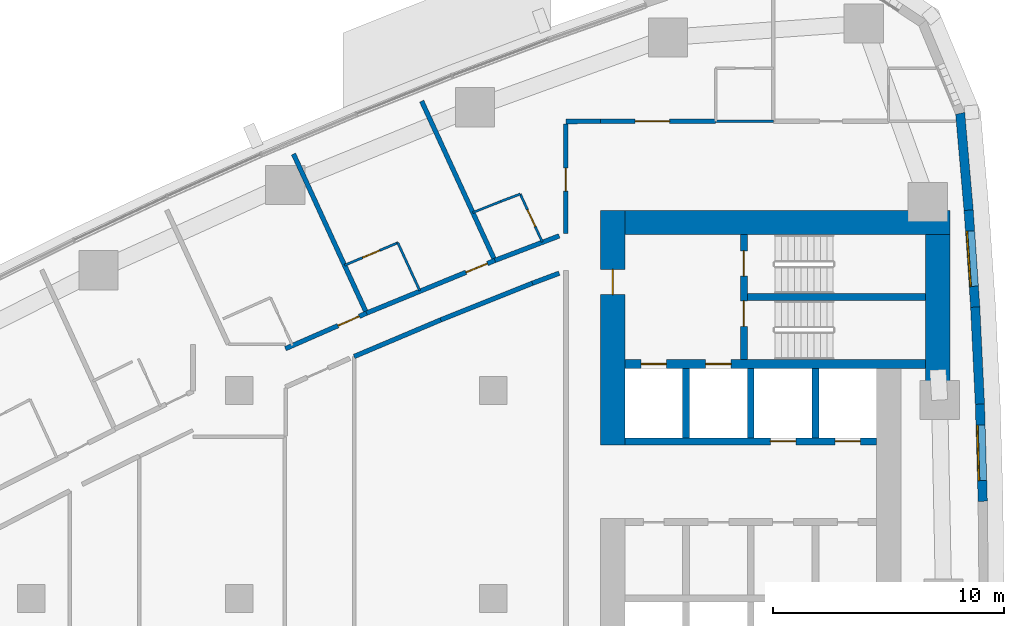
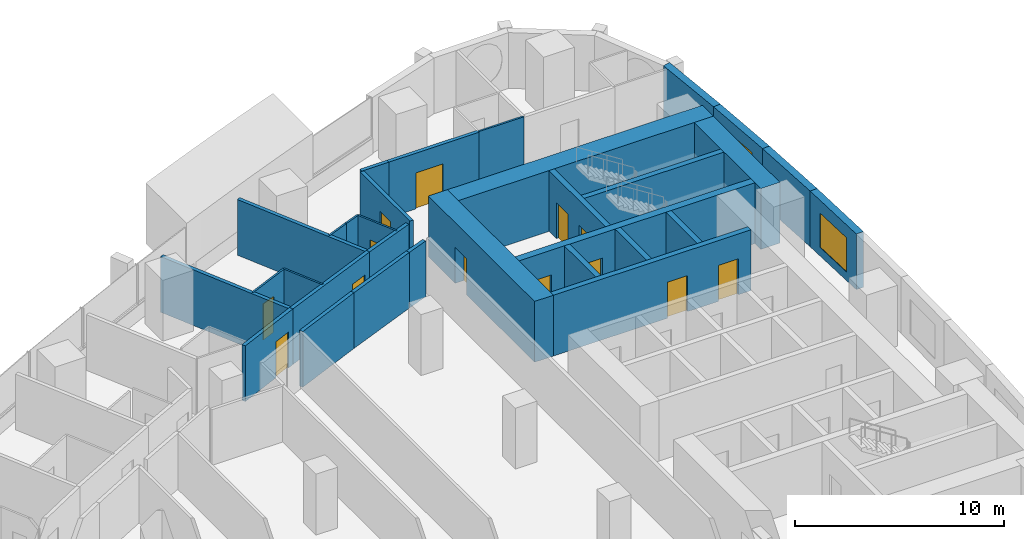
# One storey, part 12 of 17: 31 walls, 13 doors, 2 windows, 15 openings.
"""IFC4 building model written with IfcOpenShell, lengths in metres."""

from ifc_helpers import new_model, si_unit, direction, frame, frame_2d, origin, place, context, subcontext, project, spatial, polyline, rectangle, outline, extrude, material, layer, layer_set, type_object, element, fill, save


model = new_model("IFC4")

# Units and contexts
model_context = context("Model", 3, precision=1e-05, world=origin(), true_north=direction((0.0, 1.0)))
body_context = subcontext(model_context, "Body", "Model", "MODEL_VIEW")
ifc_project = project(units=[si_unit("LENGTHUNIT", "METRE"), si_unit("AREAUNIT", "SQUARE_METRE"), si_unit("VOLUMEUNIT", "CUBIC_METRE"), si_unit("PLANEANGLEUNIT", "RADIAN"), si_unit("MASSUNIT", "GRAM", prefix="KILO")], contexts=[model_context])

# Site, building, storey
site_placement = place(None, origin())
site = spatial("IfcSite", under=ifc_project, at=site_placement, CompositionType="ELEMENT")
building_placement = place(site_placement, origin())
building = spatial("IfcBuilding", under=site, at=building_placement, Name="Ostrand Prow Hotel Tower", CompositionType="ELEMENT")
storey_placement = place(building_placement, frame((0.0, 0.0, 106.199951171875)))
storey = spatial("IfcBuildingStorey", under=building, at=storey_placement, Name="L25", CompositionType="ELEMENT", Elevation=106.199951171875)

# Wall, opening, door
ifc_material_1 = material(Name="Concrete C80/95", Category="concrete")
ifc_layer_1 = layer(ifc_material_1, 1.050048828125)
ifc_layer_set_1 = layer_set([ifc_layer_1], Name="Concrete C80/95")
wall_type_1 = type_object("IfcWallType", Name="Core wall 1050 C80/95", PredefinedType="SHEAR", material=ifc_layer_set_1)
wall_1_placement = place(storey_placement, frame((50.175048828125, 6.64990234375, 0.0), z_axis=(0.0, 0.0, 1.0), x_axis=(0.0, 1.0, 0.0)))
wall_1 = element("IfcWall", 1, at=wall_1_placement, inside=storey, type_object=wall_type_1, Name="Core wall CW-W-N", PredefinedType="SHEAR", context=body_context, shape_type="SweptSolid", body=[
    extrude(rectangle(XDim=10.150146484375, YDim=1.050048828125, at=frame_2d((5.0751953125, 0.0))), origin(), (0.0, 0.0, 1.0), 3.550048828125),
])
opening_1_placement = place(wall_1_placement, frame((6.5, 0.0, 0.0)))
opening_1 = element("IfcOpeningElement", 2, at=opening_1_placement, cuts=wall_1, Name="Opening FD1", PredefinedType="OPENING", context=body_context, shape_type="SweptSolid", body=[
    extrude(rectangle(XDim=1.10009765625, YDim=2.10009765625, at=frame_2d((0.550048828125, 1.050048828125))), frame((0.0, 0.534912109375, 0.0), z_axis=(0.0, -1.0, 0.0), x_axis=(1.0, 0.0, 0.0)), (0.0, 0.0, 1.0), 1.070068359375),
])
ifc_material_2 = material(Name="Steel fire door", Category="steel")
door_type_1 = type_object("IfcDoorType", Name="Fire door 1100 EI120", OperationType="SINGLE_SWING_RIGHT", PredefinedType="DOOR", material=ifc_material_2)
door_1_placement = place(opening_1_placement, origin())
door_1 = element("IfcDoor", 3, at=door_1_placement, inside=storey, type_object=door_type_1, Name="FIRE DOOR", OperationType="SINGLE_SWING_RIGHT", OverallHeight=2.10009765625, OverallWidth=1.10009765625, PredefinedType="DOOR", context=body_context, shape_type="SweptSolid", body=[
    extrude(rectangle(XDim=1.10009765625, YDim=2.10009765625, at=frame_2d((0.550048828125, 1.050048828125))), frame((0.0, 0.02490234375, 0.0), z_axis=(0.0, -1.0, 0.0), x_axis=(1.0, 0.0, 0.0)), (0.0, 0.0, 1.0), 0.050048828125),
])
fill(opening_1, door_1)

# Walls
wall_2_placement = place(storey_placement, frame((50.699951171875, 16.27490234375, 0.0), z_axis=(0.0, 0.0, 1.0), x_axis=(1.0, 0.0, 0.0)))
element("IfcWall", 4, at=wall_2_placement, inside=storey, type_object=wall_type_1, Name="Core wall CW-N", PredefinedType="SHEAR", context=body_context, shape_type="SweptSolid", body=[
    extrude(rectangle(XDim=14.070068359375, YDim=1.050048828125, at=frame_2d((7.03515625, 0.0))), origin(), (0.0, 0.0, 1.0), 3.550048828125),
])
wall_3_placement = place(storey_placement, frame((64.2451171875, 9.388671875, 0.0), z_axis=(0.0, 0.0, 1.0), x_axis=(0.0, 1.0, 0.0)))
element("IfcWall", 5, at=wall_3_placement, inside=storey, type_object=wall_type_1, Name="Core wall CW-E-N", PredefinedType="SHEAR", context=body_context, shape_type="SweptSolid", body=[
    extrude(rectangle(XDim=6.361328125, YDim=1.050048828125, at=frame_2d((3.1806640625, 0.0))), origin(), (0.0, 0.0, 1.0), 3.550048828125),
])

# Wall, openings, doors
ifc_material_3 = material(Name="Concrete C80/95", Category="concrete")
ifc_layer_2 = layer(ifc_material_3, 0.300048828125)
ifc_layer_set_2 = layer_set([ifc_layer_2], Name="Concrete C80/95")
wall_type_2 = type_object("IfcWallType", Name="Core wall 300 C80/95", PredefinedType="SHEAR", material=ifc_layer_set_2)
wall_4_placement = place(storey_placement, frame((50.699951171875, 6.800048828125, 0.0), z_axis=(0.0, 0.0, 1.0), x_axis=(1.0, 0.0, 0.0)))
wall_4 = element("IfcWall", 6, at=wall_4_placement, inside=storey, type_object=wall_type_2, Name="Core wall PW-L2-N", PredefinedType="SHEAR", context=body_context, shape_type="SweptSolid", body=[
    extrude(rectangle(XDim=10.900146484375, YDim=0.300048828125, at=frame_2d((5.4501953125, 0.0))), origin(), (0.0, 0.0, 1.0), 3.550048828125),
])
opening_2_placement = place(wall_4_placement, frame((6.300048828125, 0.0, 0.0)))
opening_2 = element("IfcOpeningElement", 7, at=opening_2_placement, cuts=wall_4, Name="Opening LD", PredefinedType="OPENING", context=body_context, shape_type="SweptSolid", body=[
    extrude(rectangle(XDim=1.10009765625, YDim=2.10009765625, at=frame_2d((0.550048828125, 1.050048828125))), frame((0.0, 0.159912109375, 0.0), z_axis=(0.0, -1.0, 0.0), x_axis=(1.0, 0.0, 0.0)), (0.0, 0.0, 1.0), 0.320068359375),
])
opening_3_placement = place(wall_4_placement, frame((9.10009765625, 0.0, 0.0)))
opening_3 = element("IfcOpeningElement", 8, at=opening_3_placement, cuts=wall_4, Name="Opening LD", PredefinedType="OPENING", context=body_context, shape_type="SweptSolid", body=[
    extrude(rectangle(XDim=1.10009765625, YDim=2.10009765625, at=frame_2d((0.550048828125, 1.050048828125))), frame((0.0, 0.159912109375, 0.0), z_axis=(0.0, -1.0, 0.0), x_axis=(1.0, 0.0, 0.0)), (0.0, 0.0, 1.0), 0.320068359375),
])
ifc_material_4 = material(Name="Stainless steel door", Category="steel")
door_type_2 = type_object("IfcDoorType", Name="Lift landing door 1100", OperationType="DOUBLE_DOOR_SLIDING", PredefinedType="DOOR", material=ifc_material_4)
door_2_placement = place(opening_2_placement, origin())
door_2 = element("IfcDoor", 9, at=door_2_placement, inside=storey, type_object=door_type_2, Name="LIFT LANDING DOOR", OperationType="DOUBLE_DOOR_SLIDING", OverallHeight=2.10009765625, OverallWidth=1.10009765625, PredefinedType="DOOR", context=body_context, shape_type="SweptSolid", body=[
    extrude(rectangle(XDim=1.10009765625, YDim=2.10009765625, at=frame_2d((0.550048828125, 1.050048828125))), frame((0.0, 0.02490234375, 0.0), z_axis=(0.0, -1.0, 0.0), x_axis=(1.0, 0.0, 0.0)), (0.0, 0.0, 1.0), 0.050048828125),
])
fill(opening_2, door_2)
door_3_placement = place(opening_3_placement, origin())
door_3 = element("IfcDoor", 10, at=door_3_placement, inside=storey, type_object=door_type_2, Name="LIFT LANDING DOOR", OperationType="DOUBLE_DOOR_SLIDING", OverallHeight=2.10009765625, OverallWidth=1.10009765625, PredefinedType="DOOR", context=body_context, shape_type="SweptSolid", body=[
    extrude(rectangle(XDim=1.10009765625, YDim=2.10009765625, at=frame_2d((0.550048828125, 1.050048828125))), frame((0.0, 0.02490234375, 0.0), z_axis=(0.0, -1.0, 0.0), x_axis=(1.0, 0.0, 0.0)), (0.0, 0.0, 1.0), 0.050048828125),
])
fill(opening_3, door_3)

# Walls
for number, where, z_axis, x_axis, name in (
    (11, (53.35009765625, 6.949951171875, 0.0), (0.0, 0.0, 1.0), (0.0, 1.0, 0.0), "Core wall PW-R1-NA"),
    (12, (56.14990234375, 6.949951171875, 0.0), (0.0, 0.0, 1.0), (0.0, 1.0, 0.0), "Core wall PW-R2-NA"),
    (13, (58.949951171875, 6.949951171875, 0.0), (0.0, 0.0, 1.0), (0.0, 1.0, 0.0), "Core wall PW-R3-NA"),
):
    element("IfcWall", number, at=place(storey_placement, frame(where, z_axis=z_axis, x_axis=x_axis)), inside=storey, type_object=wall_type_2, Name=name, PredefinedType="SHEAR", context=body_context, shape_type="SweptSolid", body=[
        extrude(rectangle(XDim=3.0, YDim=0.300048828125, at=frame_2d((1.5, 0.0))), origin(), (0.0, 0.0, 1.0), 3.550048828125),
    ])

# Wall, openings, doors
wall_5_placement = place(storey_placement, frame((55.85009765625, 10.35009765625, 0.0), z_axis=(0.0, 0.0, 1.0), x_axis=(0.0, 1.0, 0.0)))
wall_5 = element("IfcWall", 14, at=wall_5_placement, inside=storey, type_object=wall_type_2, Name="Core wall PW-VN", PredefinedType="SHEAR", context=body_context, shape_type="SweptSolid", body=[
    extrude(rectangle(XDim=5.39990234375, YDim=0.300048828125, at=frame_2d((2.699951171875, 0.0))), origin(), (0.0, 0.0, 1.0), 3.550048828125),
])
opening_4_placement = place(wall_5_placement, frame((1.429931640625, 0.0, 0.0)))
opening_4 = element("IfcOpeningElement", 15, at=opening_4_placement, cuts=wall_5, Name="Opening FD1", PredefinedType="OPENING", context=body_context, shape_type="SweptSolid", body=[
    extrude(rectangle(XDim=1.10009765625, YDim=2.10009765625, at=frame_2d((0.550048828125, 1.050048828125))), frame((0.0, 0.159912109375, 0.0), z_axis=(0.0, -1.0, 0.0), x_axis=(1.0, 0.0, 0.0)), (0.0, 0.0, 1.0), 0.320068359375),
])
opening_5_placement = place(wall_5_placement, frame((3.60009765625, 0.0, 0.0)))
opening_5 = element("IfcOpeningElement", 16, at=opening_5_placement, cuts=wall_5, Name="Opening FD1", PredefinedType="OPENING", context=body_context, shape_type="SweptSolid", body=[
    extrude(rectangle(XDim=1.10009765625, YDim=2.10009765625, at=frame_2d((0.550048828125, 1.050048828125))), frame((0.0, 0.159912109375, 0.0), z_axis=(0.0, -1.0, 0.0), x_axis=(1.0, 0.0, 0.0)), (0.0, 0.0, 1.0), 0.320068359375),
])
door_4_placement = place(opening_4_placement, origin())
door_4 = element("IfcDoor", 17, at=door_4_placement, inside=storey, type_object=door_type_1, Name="FIRE DOOR", OperationType="SINGLE_SWING_RIGHT", OverallHeight=2.10009765625, OverallWidth=1.10009765625, PredefinedType="DOOR", context=body_context, shape_type="SweptSolid", body=[
    extrude(rectangle(XDim=1.10009765625, YDim=2.10009765625, at=frame_2d((0.550048828125, 1.050048828125))), frame((0.0, 0.02490234375, 0.0), z_axis=(0.0, -1.0, 0.0), x_axis=(1.0, 0.0, 0.0)), (0.0, 0.0, 1.0), 0.050048828125),
])
fill(opening_4, door_4)
door_5_placement = place(opening_5_placement, origin())
door_5 = element("IfcDoor", 18, at=door_5_placement, inside=storey, type_object=door_type_1, Name="FIRE DOOR", OperationType="SINGLE_SWING_RIGHT", OverallHeight=2.10009765625, OverallWidth=1.10009765625, PredefinedType="DOOR", context=body_context, shape_type="SweptSolid", body=[
    extrude(rectangle(XDim=1.10009765625, YDim=2.10009765625, at=frame_2d((0.550048828125, 1.050048828125))), frame((0.0, 0.02490234375, 0.0), z_axis=(0.0, -1.0, 0.0), x_axis=(1.0, 0.0, 0.0)), (0.0, 0.0, 1.0), 0.050048828125),
])
fill(opening_5, door_5)

# Wall
wall_6_placement = place(storey_placement, frame((56.0, 13.050048828125, 0.0), z_axis=(0.0, 0.0, 1.0), x_axis=(1.0, 0.0, 0.0)))
element("IfcWall", 19, at=wall_6_placement, inside=storey, type_object=wall_type_2, Name="Core wall PW-ST13", PredefinedType="SHEAR", context=body_context, shape_type="SweptSolid", body=[
    extrude(rectangle(XDim=7.719970703125, YDim=0.300048828125, at=frame_2d((3.85986328125, 0.0))), origin(), (0.0, 0.0, 1.0), 3.550048828125),
])

# Wall, openings, doors
ifc_material_5 = material(Name="Concrete C80/95", Category="concrete")
ifc_layer_3 = layer(ifc_material_5, 0.39990234375)
ifc_layer_set_3 = layer_set([ifc_layer_3], Name="Concrete C80/95")
wall_type_3 = type_object("IfcWallType", Name="Core wall 400 C80/95", PredefinedType="SHEAR", material=ifc_layer_set_3)
wall_7_placement = place(storey_placement, frame((50.699951171875, 10.14990234375, 0.0), z_axis=(0.0, 0.0, 1.0), x_axis=(1.0, 0.0, 0.0)))
wall_7 = element("IfcWall", 20, at=wall_7_placement, inside=storey, type_object=wall_type_3, Name="Core wall PW-BN", PredefinedType="SHEAR", context=body_context, shape_type="SweptSolid", body=[
    extrude(rectangle(XDim=13.02001953125, YDim=0.39990234375, at=frame_2d((6.510009765625, 0.0))), origin(), (0.0, 0.0, 1.0), 3.550048828125),
])
opening_6_placement = place(wall_7_placement, frame((0.699951171875, 0.0, 0.0)))
opening_6 = element("IfcOpeningElement", 21, at=opening_6_placement, cuts=wall_7, Name="Opening LD", PredefinedType="OPENING", context=body_context, shape_type="SweptSolid", body=[
    extrude(rectangle(XDim=1.10009765625, YDim=2.10009765625, at=frame_2d((0.550048828125, 1.050048828125))), frame((0.0, 0.2099609375, 0.0), z_axis=(0.0, -1.0, 0.0), x_axis=(1.0, 0.0, 0.0)), (0.0, 0.0, 1.0), 0.419921875),
])
opening_7_placement = place(wall_7_placement, frame((3.5, 0.0, 0.0)))
opening_7 = element("IfcOpeningElement", 22, at=opening_7_placement, cuts=wall_7, Name="Opening LD", PredefinedType="OPENING", context=body_context, shape_type="SweptSolid", body=[
    extrude(rectangle(XDim=1.10009765625, YDim=2.10009765625, at=frame_2d((0.550048828125, 1.050048828125))), frame((0.0, 0.2099609375, 0.0), z_axis=(0.0, -1.0, 0.0), x_axis=(1.0, 0.0, 0.0)), (0.0, 0.0, 1.0), 0.419921875),
])
door_6_placement = place(opening_6_placement, origin())
door_6 = element("IfcDoor", 23, at=door_6_placement, inside=storey, type_object=door_type_2, Name="LIFT LANDING DOOR", OperationType="DOUBLE_DOOR_SLIDING", OverallHeight=2.10009765625, OverallWidth=1.10009765625, PredefinedType="DOOR", context=body_context, shape_type="SweptSolid", body=[
    extrude(rectangle(XDim=1.10009765625, YDim=2.10009765625, at=frame_2d((0.550048828125, 1.050048828125))), frame((0.0, 0.02490234375, 0.0), z_axis=(0.0, -1.0, 0.0), x_axis=(1.0, 0.0, 0.0)), (0.0, 0.0, 1.0), 0.050048828125),
])
fill(opening_6, door_6)
door_7_placement = place(opening_7_placement, origin())
door_7 = element("IfcDoor", 24, at=door_7_placement, inside=storey, type_object=door_type_2, Name="LIFT LANDING DOOR", OperationType="DOUBLE_DOOR_SLIDING", OverallHeight=2.10009765625, OverallWidth=1.10009765625, PredefinedType="DOOR", context=body_context, shape_type="SweptSolid", body=[
    extrude(rectangle(XDim=1.10009765625, YDim=2.10009765625, at=frame_2d((0.550048828125, 1.050048828125))), frame((0.0, 0.02490234375, 0.0), z_axis=(0.0, -1.0, 0.0), x_axis=(1.0, 0.0, 0.0)), (0.0, 0.0, 1.0), 0.050048828125),
])
fill(opening_7, door_7)

# Wall, opening, door
ifc_material_6 = material(Name="Plasterboard partition")
ifc_layer_4 = layer(ifc_material_6, 0.10009765625)
ifc_layer_set_4 = layer_set([ifc_layer_4], Name="Plasterboard partition")
wall_type_4 = type_object("IfcWallType", Name="Partition 100 bathroom wall", PredefinedType="PARTITIONING", material=ifc_layer_set_4)
wall_8_placement = place(storey_placement, frame((38.5615234375, 14.425537109375, 0.0), z_axis=(0.0, 0.0, 1.0), x_axis=(0.921042675983, 0.38946166566, 0.0)))
wall_8 = element("IfcWall", 25, at=wall_8_placement, inside=storey, type_object=wall_type_4, Name="BATHROOM WALL", PredefinedType="PARTITIONING", context=body_context, shape_type="SweptSolid", body=[
    extrude(rectangle(XDim=2.501220703125, YDim=0.10009765625, at=frame_2d((1.25048828125, 0.0))), origin(), (0.0, 0.0, 1.0), 3.25),
])
opening_8_placement = place(wall_8_placement, frame((0.85009765625, 0.0, 0.0)))
opening_8 = element("IfcOpeningElement", 26, at=opening_8_placement, cuts=wall_8, Name="Opening D2", PredefinedType="OPENING", context=body_context, shape_type="SweptSolid", body=[
    extrude(rectangle(XDim=0.800048828125, YDim=2.10009765625, at=frame_2d((0.39990234375, 1.050048828125))), frame((0.0, 0.06005859375, 0.0), z_axis=(0.0, -1.0, 0.0), x_axis=(1.0, 0.0, 0.0)), (0.0, 0.0, 1.0), 0.1201171875),
])
ifc_material_7 = material(Name="Timber door leaf", Category="wood")
door_type_3 = type_object("IfcDoorType", Name="Bathroom door 800", OperationType="SINGLE_SWING_LEFT", PredefinedType="DOOR", material=ifc_material_7)
door_8_placement = place(opening_8_placement, origin())
door_8 = element("IfcDoor", 27, at=door_8_placement, inside=storey, type_object=door_type_3, Name="DOOR", OperationType="SINGLE_SWING_LEFT", OverallHeight=2.10009765625, OverallWidth=0.800048828125, PredefinedType="DOOR", context=body_context, shape_type="SweptSolid", body=[
    extrude(rectangle(XDim=0.800048828125, YDim=2.10009765625, at=frame_2d((0.39990234375, 1.050048828125))), frame((0.0, 0.02490234375, 0.0), z_axis=(0.0, -1.0, 0.0), x_axis=(1.0, 0.0, 0.0)), (0.0, 0.0, 1.0), 0.050048828125),
])
fill(opening_8, door_8)

# Walls
wall_9_placement = place(storey_placement, frame((40.865234375, 15.399658203125, 0.0), z_axis=(0.0, 0.0, 1.0), x_axis=(0.417433204355, -0.908707609686, 0.0)))
element("IfcWall", 28, at=wall_9_placement, inside=storey, type_object=wall_type_4, Name="BATHROOM WALL", PredefinedType="PARTITIONING", context=body_context, shape_type="SweptSolid", body=[
    extrude(rectangle(XDim=2.278076171875, YDim=0.10009765625, at=frame_2d((1.13916015625, 0.0))), origin(), (0.0, 0.0, 1.0), 3.25),
])
wall_10_placement = place(storey_placement, frame((44.115966796875, 16.7080078125, 0.0), z_axis=(0.0, 0.0, 1.0), x_axis=(0.928593389657, 0.371098796393, 0.0)))
element("IfcWall", 29, at=wall_10_placement, inside=storey, type_object=wall_type_4, Name="BATHROOM WALL", PredefinedType="PARTITIONING", context=body_context, shape_type="SweptSolid", body=[
    extrude(rectangle(XDim=1.298095703125, YDim=0.10009765625, at=frame_2d((0.64892578125, 0.0))), origin(), (0.0, 0.0, 1.0), 3.25),
])
wall_11_placement = place(storey_placement, frame((45.3212890625, 17.189697265625, 0.0), z_axis=(0.0, 0.0, 1.0), x_axis=(0.935885332459, 0.352304760808, 0.0)))
element("IfcWall", 30, at=wall_11_placement, inside=storey, type_object=wall_type_4, Name="BATHROOM WALL", PredefinedType="PARTITIONING", context=body_context, shape_type="SweptSolid", body=[
    extrude(rectangle(XDim=0.90576171875, YDim=0.10009765625, at=frame_2d((0.452880859375, 0.0))), origin(), (0.0, 0.0, 1.0), 3.25),
])

# Wall, opening, door
wall_12_placement = place(storey_placement, frame((46.169189453125, 17.5087890625, 0.0), z_axis=(0.0, 0.0, 1.0), x_axis=(0.417409478396, -0.90871850831, 0.0)))
wall_12 = element("IfcWall", 31, at=wall_12_placement, inside=storey, type_object=wall_type_4, Name="BATHROOM WALL", PredefinedType="PARTITIONING", context=body_context, shape_type="SweptSolid", body=[
    extrude(rectangle(XDim=2.282958984375, YDim=0.10009765625, at=frame_2d((1.1416015625, 0.0))), origin(), (0.0, 0.0, 1.0), 3.25),
])
opening_9_placement = place(wall_12_placement, frame((0.75, 0.0, 0.0)))
opening_9 = element("IfcOpeningElement", 32, at=opening_9_placement, cuts=wall_12, Name="Opening D2", PredefinedType="OPENING", context=body_context, shape_type="SweptSolid", body=[
    extrude(rectangle(XDim=0.800048828125, YDim=2.10009765625, at=frame_2d((0.39990234375, 1.050048828125))), frame((0.0, 0.06005859375, 0.0), z_axis=(0.0, -1.0, 0.0), x_axis=(1.0, 0.0, 0.0)), (0.0, 0.0, 1.0), 0.1201171875),
])
door_9_placement = place(opening_9_placement, origin())
door_9 = element("IfcDoor", 33, at=door_9_placement, inside=storey, type_object=door_type_3, Name="DOOR", OperationType="SINGLE_SWING_LEFT", OverallHeight=2.10009765625, OverallWidth=0.800048828125, PredefinedType="DOOR", context=body_context, shape_type="SweptSolid", body=[
    extrude(rectangle(XDim=0.800048828125, YDim=2.10009765625, at=frame_2d((0.39990234375, 1.050048828125))), frame((0.0, 0.02490234375, 0.0), z_axis=(0.0, -1.0, 0.0), x_axis=(1.0, 0.0, 0.0)), (0.0, 0.0, 1.0), 0.050048828125),
])
fill(opening_9, door_9)

# Wall
wall_13_placement = place(storey_placement, frame((57.130615234375, 20.655029296875, 0.0), z_axis=(0.0, 0.0, 1.0), x_axis=(-1.0, 0.0, 0.0)))
element("IfcWall", 34, at=wall_13_placement, inside=storey, type_object=wall_type_4, Name="BATHROOM WALL", PredefinedType="PARTITIONING", context=body_context, shape_type="SweptSolid", body=[
    extrude(rectangle(XDim=2.5, YDim=0.10009765625, at=frame_2d((1.25, 0.0))), origin(), (0.0, 0.0, 1.0), 3.25),
])

# Wall, opening, door
ifc_material_8 = material(Name="Plasterboard partition")
ifc_layer_5 = layer(ifc_material_8, 0.199951171875)
ifc_layer_set_5 = layer_set([ifc_layer_5], Name="Plasterboard partition")
wall_type_5 = type_object("IfcWallType", Name="Partition 200 corridor wall", PredefinedType="PARTITIONING", material=ifc_layer_set_5)
wall_14_placement = place(storey_placement, frame((39.513916015625, 12.352783203125, 0.0), z_axis=(0.0, 0.0, 1.0), x_axis=(-0.916085742373, -0.400982434305, 0.0)))
wall_14 = element("IfcWall", 35, at=wall_14_placement, inside=storey, type_object=wall_type_5, Name="CORRIDOR WALL", PredefinedType="PARTITIONING", context=body_context, shape_type="SweptSolid", body=[
    extrude(rectangle(XDim=3.835693359375, YDim=0.199951171875, at=frame_2d((1.91796875, 0.0))), origin(), (0.0, 0.0, 1.0), 3.25),
])
opening_10_placement = place(wall_14_placement, frame((0.35009765625, 0.0, 0.0)))
opening_10 = element("IfcOpeningElement", 36, at=opening_10_placement, cuts=wall_14, Name="Opening D1R", PredefinedType="OPENING", context=body_context, shape_type="SweptSolid", body=[
    extrude(rectangle(XDim=1.0, YDim=2.10009765625, at=frame_2d((0.5, 1.050048828125))), frame((0.0, 0.10986328125, 0.0), z_axis=(0.0, -1.0, 0.0), x_axis=(1.0, 0.0, 0.0)), (0.0, 0.0, 1.0), 0.219970703125),
])
ifc_material_9 = material(Name="Timber door leaf", Category="wood")
door_type_4 = type_object("IfcDoorType", Name="Guest room door 1000 right", OperationType="SINGLE_SWING_RIGHT", PredefinedType="DOOR", material=ifc_material_9)
door_10_placement = place(opening_10_placement, origin())
door_10 = element("IfcDoor", 37, at=door_10_placement, inside=storey, type_object=door_type_4, Name="DOOR", OperationType="SINGLE_SWING_RIGHT", OverallHeight=2.10009765625, OverallWidth=1.0, PredefinedType="DOOR", context=body_context, shape_type="SweptSolid", body=[
    extrude(rectangle(XDim=1.0, YDim=2.10009765625, at=frame_2d((0.5, 1.050048828125))), frame((0.0, 0.02490234375, 0.0), z_axis=(0.0, -1.0, 0.0), x_axis=(1.0, 0.0, 0.0)), (0.0, 0.0, 1.0), 0.050048828125),
])
fill(opening_10, door_10)

wall_15_placement = place(storey_placement, frame((45.06884765625, 14.633544921875, 0.0), z_axis=(0.0, 0.0, 1.0), x_axis=(-0.925062421694, -0.379815107611, 0.0)))
wall_15 = element("IfcWall", 38, at=wall_15_placement, inside=storey, type_object=wall_type_5, Name="CORRIDOR WALL", PredefinedType="PARTITIONING", context=body_context, shape_type="SweptSolid", body=[
    extrude(rectangle(XDim=6.0048828125, YDim=0.199951171875, at=frame_2d((3.00244140625, 0.0))), origin(), (0.0, 0.0, 1.0), 3.25),
])
opening_11_placement = place(wall_15_placement, frame((0.35009765625, 0.0, 0.0)))
opening_11 = element("IfcOpeningElement", 39, at=opening_11_placement, cuts=wall_15, Name="Opening D1R", PredefinedType="OPENING", context=body_context, shape_type="SweptSolid", body=[
    extrude(rectangle(XDim=1.0, YDim=2.10009765625, at=frame_2d((0.5, 1.050048828125))), frame((0.0, 0.10986328125, 0.0), z_axis=(0.0, -1.0, 0.0), x_axis=(1.0, 0.0, 0.0)), (0.0, 0.0, 1.0), 0.219970703125),
])
door_11_placement = place(opening_11_placement, origin())
door_11 = element("IfcDoor", 40, at=door_11_placement, inside=storey, type_object=door_type_4, Name="DOOR", OperationType="SINGLE_SWING_RIGHT", OverallHeight=2.10009765625, OverallWidth=1.0, PredefinedType="DOOR", context=body_context, shape_type="SweptSolid", body=[
    extrude(rectangle(XDim=1.0, YDim=2.10009765625, at=frame_2d((0.5, 1.050048828125))), frame((0.0, 0.02490234375, 0.0), z_axis=(0.0, -1.0, 0.0), x_axis=(1.0, 0.0, 0.0)), (0.0, 0.0, 1.0), 0.050048828125),
])
fill(opening_11, door_11)

# Walls
wall_16_placement = place(storey_placement, frame((42.727783203125, 12.0615234375, 0.0), z_axis=(0.0, 0.0, 1.0), x_axis=(0.928638161177, 0.370986745864, 0.0)))
element("IfcWall", 41, at=wall_16_placement, inside=storey, type_object=wall_type_5, Name="CORRIDOR WALL", PredefinedType="PARTITIONING", context=body_context, shape_type="SweptSolid", body=[
    extrude(rectangle(XDim=4.27294921875, YDim=0.199951171875, at=frame_2d((2.136474609375, 0.0))), origin(), (0.0, 0.0, 1.0), 3.25),
])
wall_17_placement = place(storey_placement, frame((38.974609375, 10.474365234375, 0.0), z_axis=(0.0, 0.0, 1.0), x_axis=(0.921030909625, 0.389489490891, 0.0)))
element("IfcWall", 42, at=wall_17_placement, inside=storey, type_object=wall_type_5, Name="CORRIDOR WALL", PredefinedType="PARTITIONING", context=body_context, shape_type="SweptSolid", body=[
    extrude(rectangle(XDim=4.074951171875, YDim=0.199951171875, at=frame_2d((2.03759765625, 0.0))), origin(), (0.0, 0.0, 1.0), 3.25),
])

# Wall, opening, door
wall_18_placement = place(storey_placement, frame((54.62548828125, 20.655029296875, 0.0), z_axis=(0.0, 0.0, 1.0), x_axis=(-1.0, 0.0, 0.0)))
wall_18 = element("IfcWall", 43, at=wall_18_placement, inside=storey, type_object=wall_type_5, Name="CORRIDOR WALL", PredefinedType="PARTITIONING", context=body_context, shape_type="SweptSolid", body=[
    extrude(rectangle(XDim=4.9755859375, YDim=0.199951171875, at=frame_2d((2.48779296875, 0.0))), origin(), (0.0, 0.0, 1.0), 3.25),
])
opening_12_placement = place(wall_18_placement, frame((1.98779296875, 0.0, 0.0)))
opening_12 = element("IfcOpeningElement", 44, at=opening_12_placement, cuts=wall_18, Name="Opening D15", PredefinedType="OPENING", context=body_context, shape_type="SweptSolid", body=[
    extrude(rectangle(XDim=1.5, YDim=2.10009765625, at=frame_2d((0.75, 1.050048828125))), frame((0.0, 0.10986328125, 0.0), z_axis=(0.0, -1.0, 0.0), x_axis=(1.0, 0.0, 0.0)), (0.0, 0.0, 1.0), 0.219970703125),
])
ifc_material_10 = material(Name="Timber door leaf", Category="wood")
door_type_5 = type_object("IfcDoorType", Name="Double door 1500", OperationType="DOUBLE_DOOR_SINGLE_SWING", PredefinedType="DOOR", material=ifc_material_10)
door_12_placement = place(opening_12_placement, origin())
door_12 = element("IfcDoor", 45, at=door_12_placement, inside=storey, type_object=door_type_5, Name="DOOR", OperationType="DOUBLE_DOOR_SINGLE_SWING", OverallHeight=2.10009765625, OverallWidth=1.5, PredefinedType="DOOR", context=body_context, shape_type="SweptSolid", body=[
    extrude(rectangle(XDim=1.5, YDim=2.10009765625, at=frame_2d((0.75, 1.050048828125))), frame((0.0, 0.02490234375, 0.0), z_axis=(0.0, -1.0, 0.0), x_axis=(1.0, 0.0, 0.0)), (0.0, 0.0, 1.0), 0.050048828125),
])
fill(opening_12, door_12)

# Walls
wall_19_placement = place(storey_placement, frame((47.85498046875, 15.697509765625, 0.0), z_axis=(0.0, 0.0, 1.0), x_axis=(-0.934199537442, -0.35675092746, 0.0)))
element("IfcWall", 46, at=wall_19_placement, inside=storey, type_object=wall_type_5, Name="CORRIDOR WALL", PredefinedType="PARTITIONING", context=body_context, shape_type="SweptSolid", body=[
    extrude(rectangle(XDim=2.982421875, YDim=0.199951171875, at=frame_2d((1.4912109375, 0.0))), origin(), (0.0, 0.0, 1.0), 3.25),
])
wall_20_placement = place(storey_placement, frame((46.69580078125, 13.646728515625, 0.0), z_axis=(0.0, 0.0, 1.0), x_axis=(0.935907269358, 0.352246480696, 0.0)))
element("IfcWall", 47, at=wall_20_placement, inside=storey, type_object=wall_type_5, Name="CORRIDOR WALL", PredefinedType="PARTITIONING", context=body_context, shape_type="SweptSolid", body=[
    extrude(rectangle(XDim=1.238525390625, YDim=0.199951171875, at=frame_2d((0.619140625, 0.0))), origin(), (0.0, 0.0, 1.0), 3.25),
])
wall_21_placement = place(storey_placement, frame((49.64990234375, 20.655029296875, 0.0), z_axis=(0.0, 0.0, 1.0), x_axis=(-0.999998406651, -0.001785131852, 0.0)))
element("IfcWall", 48, at=wall_21_placement, inside=storey, type_object=wall_type_5, Name="CORRIDOR WALL", PredefinedType="PARTITIONING", context=body_context, shape_type="SweptSolid", body=[
    extrude(rectangle(XDim=1.50439453125, YDim=0.199951171875, at=frame_2d((0.752197265625, 0.0))), origin(), (0.0, 0.0, 1.0), 3.25),
])

# Wall, opening, door
wall_22_placement = place(storey_placement, frame((48.1455078125, 20.532470703125, 0.0), z_axis=(0.0, 0.0, 1.0), x_axis=(-5.1594263e-05, -0.999999998669, 0.0)))
wall_22 = element("IfcWall", 49, at=wall_22_placement, inside=storey, type_object=wall_type_5, Name="CORRIDOR WALL", PredefinedType="PARTITIONING", context=body_context, shape_type="SweptSolid", body=[
    extrude(rectangle(XDim=4.73193359375, YDim=0.199951171875, at=frame_2d((2.365966796875, 0.0))), origin(), (0.0, 0.0, 1.0), 3.25),
])
opening_13_placement = place(wall_22_placement, frame((1.89990234375, 0.0, 0.0)))
opening_13 = element("IfcOpeningElement", 50, at=opening_13_placement, cuts=wall_22, Name="Opening D1R", PredefinedType="OPENING", context=body_context, shape_type="SweptSolid", body=[
    extrude(rectangle(XDim=1.0, YDim=2.10009765625, at=frame_2d((0.5, 1.050048828125))), frame((0.0, 0.10986328125, 0.0), z_axis=(0.0, -1.0, 0.0), x_axis=(1.0, 0.0, 0.0)), (0.0, 0.0, 1.0), 0.219970703125),
])
door_13_placement = place(opening_13_placement, origin())
door_13 = element("IfcDoor", 51, at=door_13_placement, inside=storey, type_object=door_type_4, Name="DOOR", OperationType="SINGLE_SWING_RIGHT", OverallHeight=2.10009765625, OverallWidth=1.0, PredefinedType="DOOR", context=body_context, shape_type="SweptSolid", body=[
    extrude(rectangle(XDim=1.0, YDim=2.10009765625, at=frame_2d((0.5, 1.050048828125))), frame((0.0, 0.02490234375, 0.0), z_axis=(0.0, -1.0, 0.0), x_axis=(1.0, 0.0, 0.0)), (0.0, 0.0, 1.0), 0.050048828125),
])
fill(opening_13, door_13)

# Walls
ifc_material_11 = material(Name="Plasterboard partition")
ifc_layer_6 = layer(ifc_material_11, 0.199951171875)
ifc_layer_set_6 = layer_set([ifc_layer_6], Name="Plasterboard partition")
wall_type_6 = type_object("IfcWallType", Name="Partition 200 key partition", PredefinedType="PARTITIONING", material=ifc_layer_set_6)
wall_23_placement = place(storey_placement, frame((39.522216796875, 12.33447265625, 0.0), z_axis=(0.0, 0.0, 1.0), x_axis=(-0.417442847913, 0.908703179661, 0.0)))
element("IfcWall", 52, at=wall_23_placement, inside=storey, type_object=wall_type_6, Name="KEY PARTITION", PredefinedType="PARTITIONING", context=body_context, shape_type="SweptSolid", body=[
    extrude(rectangle(XDim=7.603515625, YDim=0.199951171875, at=frame_2d((3.8017578125, 0.0))), origin(), (0.0, 0.0, 1.0), 3.25),
])
wall_24_placement = place(storey_placement, frame((45.0771484375, 14.615234375, 0.0), z_axis=(0.0, 0.0, 1.0), x_axis=(-0.417427858403, 0.908710065438, 0.0)))
element("IfcWall", 53, at=wall_24_placement, inside=storey, type_object=wall_type_6, Name="KEY PARTITION", PredefinedType="PARTITIONING", context=body_context, shape_type="SweptSolid", body=[
    extrude(rectangle(XDim=7.609619140625, YDim=0.199951171875, at=frame_2d((3.8046875, 0.0))), origin(), (0.0, 0.0, 1.0), 3.25),
])

# Wall, opening, window
ifc_material_12 = material(Name="Precast concrete C40/50", Category="concrete")
ifc_layer_7 = layer(ifc_material_12, 0.39990234375)
ifc_layer_set_7 = layer_set([ifc_layer_7], Name="Precast concrete C40/50")
wall_type_7 = type_object("IfcWallType", Name="Stone-faced precast wall 400 mm", PredefinedType="NOTDEFINED", material=ifc_layer_set_7)
wall_25_placement = place(storey_placement, frame((66.193603515625, 4.20654296875, 0.0), z_axis=(0.0, 0.0, 1.0), x_axis=(-0.02901703777, 0.999578917104, 0.0)))
wall_25 = element("IfcWall", 54, at=wall_25_placement, inside=storey, type_object=wall_type_7, Name="Stone-faced wall back 11", PredefinedType="NOTDEFINED", context=body_context, shape_type="SweptSolid", body=[
    extrude(outline(polyline([(-0.001953125, -0.199951171875), (4.208740234375, -0.199951171875), (4.204833984375, 0.199951171875), (0.001953125, 0.199951171875), (-0.001953125, -0.199951171875)])), origin(), (0.0, 0.0, 1.0), 3.25),
])
opening_14_placement = place(wall_25_placement, frame((0.9033203125, 0.0, 0.5)))
opening_14 = element("IfcOpeningElement", 55, at=opening_14_placement, cuts=wall_25, Name="Opening WA1", PredefinedType="OPENING", context=body_context, shape_type="SweptSolid", body=[
    extrude(rectangle(XDim=2.39990234375, YDim=2.0, at=frame_2d((1.199951171875, 1.0))), frame((0.0, 0.2099609375, 0.0), z_axis=(0.0, -1.0, 0.0), x_axis=(1.0, 0.0, 0.0)), (0.0, 0.0, 1.0), 0.419921875),
])
ifc_material_13 = material(Name="Insulated glass in bronze frame", Category="glass")
window_type = type_object("IfcWindowType", Name="Amenity picture window 2400x2000", PartitioningType="SINGLE_PANEL", PredefinedType="WINDOW", material=ifc_material_13)
window_1_placement = place(opening_14_placement, origin())
window_1 = element("IfcWindow", 56, at=window_1_placement, inside=storey, type_object=window_type, Name="Window back 11.1", OverallHeight=2.0, OverallWidth=2.39990234375, PartitioningType="SINGLE_PANEL", PredefinedType="WINDOW", context=body_context, shape_type="SweptSolid", body=[
    extrude(rectangle(XDim=2.39990234375, YDim=2.0, at=frame_2d((1.199951171875, 1.0))), frame((0.0, 0.169921875, 0.0), z_axis=(0.0, -1.0, 0.0), x_axis=(1.0, 0.0, 0.0)), (0.0, 0.0, 1.0), 0.06005859375),
])
fill(opening_14, window_1)

# Wall
wall_26_placement = place(storey_placement, frame((66.071533203125, 8.41162109375, 0.0), z_axis=(0.0, 0.0, 1.0), x_axis=(-0.048342691508, 0.998830808585, 0.0)))
element("IfcWall", 57, at=wall_26_placement, inside=storey, type_object=wall_type_7, Name="Stone-faced wall back 12", PredefinedType="NOTDEFINED", context=body_context, shape_type="SweptSolid", body=[
    extrude(outline(polyline([(-0.001953125, -0.199951171875), (4.208740234375, -0.199951171875), (4.204833984375, 0.199951171875), (0.001953125, 0.199951171875), (-0.001953125, -0.199951171875)])), origin(), (0.0, 0.0, 1.0), 3.25),
])

# Wall, opening, window
wall_27_placement = place(storey_placement, frame((65.8681640625, 12.613525390625, 0.0), z_axis=(0.0, 0.0, 1.0), x_axis=(-0.067724559895, 0.997704056315, 0.0)))
wall_27 = element("IfcWall", 58, at=wall_27_placement, inside=storey, type_object=wall_type_7, Name="Stone-faced wall back 13", PredefinedType="NOTDEFINED", context=body_context, shape_type="SweptSolid", body=[
    extrude(outline(polyline([(-0.001953125, -0.199951171875), (4.208984375, -0.199951171875), (4.205078125, 0.199951171875), (0.001953125, 0.199951171875), (-0.001953125, -0.199951171875)])), origin(), (0.0, 0.0, 1.0), 3.25),
])
opening_15_placement = place(wall_27_placement, frame((0.9033203125, 0.0, 0.5)))
opening_15 = element("IfcOpeningElement", 59, at=opening_15_placement, cuts=wall_27, Name="Opening WA1", PredefinedType="OPENING", context=body_context, shape_type="SweptSolid", body=[
    extrude(rectangle(XDim=2.39990234375, YDim=2.0, at=frame_2d((1.199951171875, 1.0))), frame((0.0, 0.2099609375, 0.0), z_axis=(0.0, -1.0, 0.0), x_axis=(1.0, 0.0, 0.0)), (0.0, 0.0, 1.0), 0.419921875),
])
window_2_placement = place(opening_15_placement, origin())
window_2 = element("IfcWindow", 60, at=window_2_placement, inside=storey, type_object=window_type, Name="Window back 13.1", OverallHeight=2.0, OverallWidth=2.39990234375, PartitioningType="SINGLE_PANEL", PredefinedType="WINDOW", context=body_context, shape_type="SweptSolid", body=[
    extrude(rectangle(XDim=2.39990234375, YDim=2.0, at=frame_2d((1.199951171875, 1.0))), frame((0.0, 0.169921875, 0.0), z_axis=(0.0, -1.0, 0.0), x_axis=(1.0, 0.0, 0.0)), (0.0, 0.0, 1.0), 0.06005859375),
])
fill(opening_15, window_2)

# Wall
wall_28_placement = place(storey_placement, frame((65.583251953125, 16.810791015625, 0.0), z_axis=(0.0, 0.0, 1.0), x_axis=(-0.086992730434, 0.996208946382, 0.0)))
element("IfcWall", 61, at=wall_28_placement, inside=storey, type_object=wall_type_7, Name="Stone-faced wall back 14", PredefinedType="NOTDEFINED", context=body_context, shape_type="SweptSolid", body=[
    extrude(outline(polyline([(-0.001953125, -0.199951171875), (4.23779296875, -0.199951171875), (4.17578125, 0.199951171875), (0.001953125, 0.199951171875), (-0.001953125, -0.199951171875)])), origin(), (0.0, 0.0, 1.0), 3.25),
])

save(model, "model.ifc")
